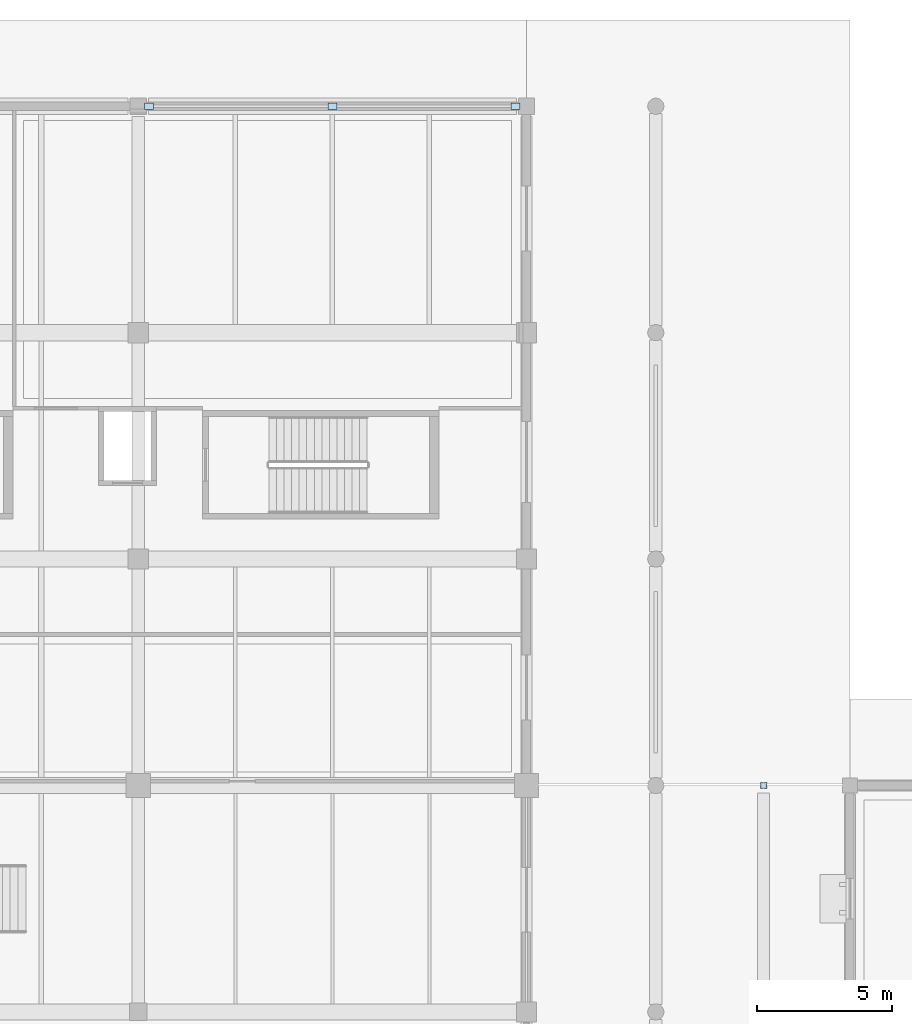
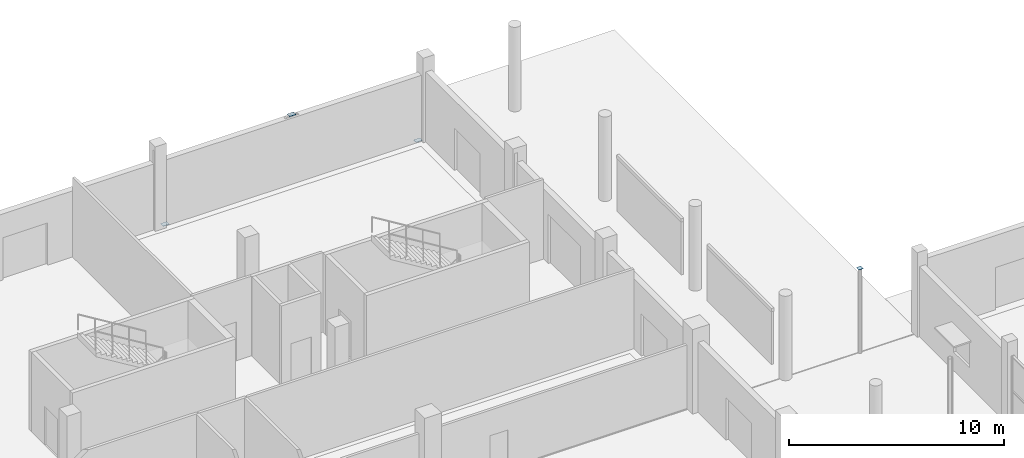
# One storey, part 89 of 130: 4 plates.
"""IFC4 building model written with IfcOpenShell, lengths in metres."""

from ifc_helpers import new_model, si_unit, direction, frame, origin, origin_2d, place, context, subcontext, project, spatial, rectangle, extrude, material, layer, layer_set, type_object, element, save


model = new_model("IFC4")

# Units and contexts
model_context = context("Model", 3, precision=1e-05, world=origin(), true_north=direction((0.0, 1.0)))
body_context = subcontext(model_context, "Body", "Model", "MODEL_VIEW")
ifc_project = project(units=[si_unit("LENGTHUNIT", "METRE"), si_unit("AREAUNIT", "SQUARE_METRE"), si_unit("VOLUMEUNIT", "CUBIC_METRE"), si_unit("PLANEANGLEUNIT", "RADIAN"), si_unit("MASSUNIT", "GRAM", prefix="KILO"), si_unit("THERMODYNAMICTEMPERATUREUNIT", "KELVIN")], contexts=[model_context])

# Site, building, storey
site_placement = place(None, origin())
site = spatial("IfcSite", under=ifc_project, at=site_placement, CompositionType="ELEMENT")
building_placement = place(site_placement, origin())
building = spatial("IfcBuilding", under=site, at=building_placement, Name="Nduvali Passage Aquatics Centre", CompositionType="ELEMENT")
storey_placement = place(building_placement, origin())
storey = spatial("IfcBuildingStorey", under=building, at=storey_placement, Name="L00", CompositionType="ELEMENT", Elevation=0.0)

# Plates
ifc_material = material(Name="Steel S355", Category="steel")
ifc_layer_1 = layer(ifc_material, 0.01611328125, Name="Steel S355")
ifc_layer_set_1 = layer_set([ifc_layer_1], Name="Steel S355")
plate_type_1 = type_object("IfcPlateType", Name="STR-PLT-CAP1", PredefinedType="SHEET", material=ifc_layer_set_1)
for number, where, z_axis, x_axis, name in (
    (1, (118.800048828125, 117.60009765625, 3.842041015625), (0.0, 0.0, 1.0), (1.0, 0.0, 0.0), "L00 Chevron Apex Gusset Plate 05"),
    (2, (112.0, 117.60009765625, -0.008056640625), (0.0, 0.0, 1.0), (1.0, 0.0, 0.0), "L00 Brace Foot Gusset Plate 0166"),
    (3, (125.60009765625, 117.60009765625, -0.008056640625), (0.0, 0.0, 1.0), (1.0, 0.0, 0.0), "L00 Brace Foot Gusset Plate 0167"),
):
    element("IfcPlate", number, at=place(storey_placement, frame(where, z_axis=z_axis, x_axis=x_axis)), inside=storey, type_object=plate_type_1, Name=name, PredefinedType="SHEET", context=body_context, shape_type="SweptSolid", body=[
        extrude(rectangle(XDim=0.340087890625, YDim=0.239990234375, at=origin_2d()), origin(), (0.0, 0.0, 1.0), 0.01611328125),
    ])
ifc_layer_2 = layer(ifc_material, 0.01611328125, Name="Steel S355")
ifc_layer_set_2 = layer_set([ifc_layer_2], Name="Steel S355")
plate_type_2 = type_object("IfcPlateType", Name="STR-PLT-CAP1A", PredefinedType="SHEET", material=ifc_layer_set_2)
plate_placement = place(storey_placement, frame((134.800048828125, 92.39990234375, 4.783935546875), z_axis=(0.0, 0.0, 1.0), x_axis=(1.0, 0.0, 0.0)))
element("IfcPlate", 4, at=plate_placement, inside=storey, type_object=plate_type_2, Name="L00 Colonnade Hollow Column Cap Plate 0189", PredefinedType="SHEET", context=body_context, shape_type="SweptSolid", body=[
    extrude(rectangle(XDim=0.239990234375, YDim=0.239990234375, at=origin_2d()), origin(), (0.0, 0.0, 1.0), 0.01611328125),
])

save(model, "model.ifc")
